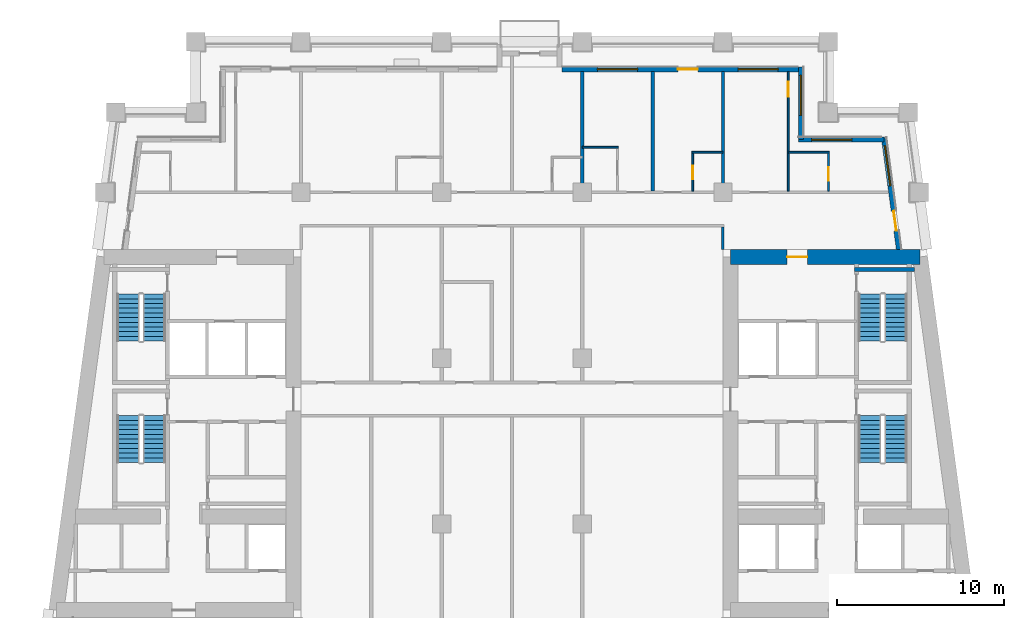
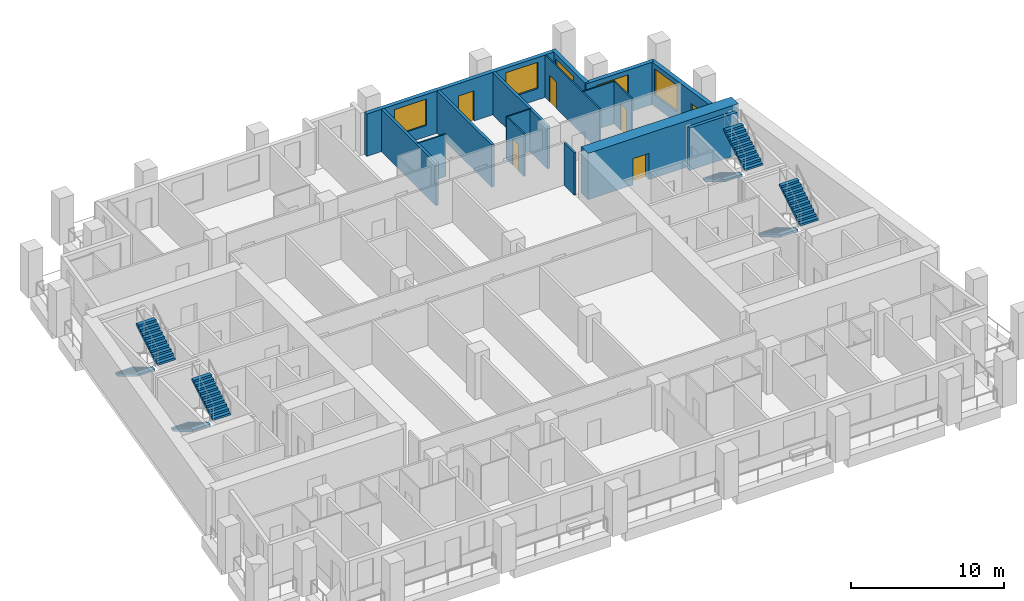
# One storey, part 8 of 13: 16 walls, 8 stair flights, 6 doors, 5 windows, 11 openings, 4 elements without a shape of their own.
"""IFC4 building model written with IfcOpenShell, lengths in metres."""

from ifc_helpers import new_model, si_unit, direction, frame, frame_2d, origin, place, context, subcontext, project, spatial, polyline, rectangle, outline, extrude, material, layer, layer_set, type_object, element, fill, aggregate, save


model = new_model("IFC4")

# Units and contexts
model_context = context("Model", 3, precision=1e-05, world=origin(), true_north=direction((0.0, 1.0)))
body_context = subcontext(model_context, "Body", "Model", "MODEL_VIEW")
ifc_project = project(units=[si_unit("LENGTHUNIT", "METRE"), si_unit("AREAUNIT", "SQUARE_METRE"), si_unit("VOLUMEUNIT", "CUBIC_METRE"), si_unit("PLANEANGLEUNIT", "RADIAN"), si_unit("MASSUNIT", "GRAM", prefix="KILO")], contexts=[model_context])

# Site, building, storey
site_placement = place(None, origin())
site = spatial("IfcSite", under=ifc_project, at=site_placement, CompositionType="ELEMENT")
building_placement = place(site_placement, origin())
building = spatial("IfcBuilding", under=site, at=building_placement, Name="Candeia Pilgrim Tower and Theatre", CompositionType="ELEMENT")
storey_placement = place(building_placement, frame((0.0, 0.0, 181.10009765625)))
storey = spatial("IfcBuildingStorey", under=building, at=storey_placement, Name="L43", CompositionType="ELEMENT", Elevation=181.10009765625)

# Wall, opening, door
ifc_material_1 = material(Name="Concrete C60/75", Category="concrete")
ifc_layer_1 = layer(ifc_material_1, 0.89990234375)
ifc_layer_set_1 = layer_set([ifc_layer_1], Name="Core wall 900 C60/75")
wall_type_1 = type_object("IfcWallType", Name="Core wall 900 C60/75", PredefinedType="SHEAR", material=ifc_layer_set_1)
wall_1_placement = place(storey_placement, frame((126.449951171875, 131.949951171875, 0.0), z_axis=(0.0, 0.0, 1.0), x_axis=(1.0, 0.0, 0.0)))
wall_1 = element("IfcWall", 1, at=wall_1_placement, inside=storey, type_object=wall_type_1, Name="Core wall E1", PredefinedType="SHEAR", context=body_context, shape_type="SweptSolid", body=[
    extrude(rectangle(XDim=11.32568359375, YDim=0.89990234375, at=frame_2d((5.662841796875, 0.0))), origin(), (0.0, 0.0, 1.0), 3.699951171875),
])
opening_1_placement = place(wall_1_placement, frame((3.386474609375, 0.0, 0.0)))
opening_1 = element("IfcOpeningElement", 2, at=opening_1_placement, cuts=wall_1, Name="Opening L43-D068", PredefinedType="OPENING", context=body_context, shape_type="SweptSolid", body=[
    extrude(rectangle(XDim=1.199951171875, YDim=2.10009765625, at=frame_2d((0.60009765625, 1.050048828125))), frame((0.0, 0.4599609375, 0.0), z_axis=(0.0, -1.0, 0.0), x_axis=(1.0, 0.0, 0.0)), (0.0, 0.0, 1.0), 0.919921875),
])
ifc_material_2 = material(Name="Steel fire door set", Category="steel")
door_type_1 = type_object("IfcDoorType", Name="D-1200-FD60", OperationType="NOTDEFINED", PredefinedType="DOOR", material=ifc_material_2)
door_1_placement = place(opening_1_placement, origin())
door_1 = element("IfcDoor", 3, at=door_1_placement, inside=storey, type_object=door_type_1, Name="Door L43-D068", OperationType="SINGLE_SWING_LEFT", OverallHeight=2.10009765625, OverallWidth=1.199951171875, PredefinedType="DOOR", context=body_context, shape_type="SweptSolid", body=[
    extrude(rectangle(XDim=1.199951171875, YDim=2.10009765625, at=frame_2d((0.60009765625, 1.050048828125))), frame((0.0, 0.02490234375, 0.0), z_axis=(0.0, -1.0, 0.0), x_axis=(1.0, 0.0, 0.0)), (0.0, 0.0, 1.0), 0.050048828125),
])
fill(opening_1, door_1)

# Wall, openings, door, window
ifc_material_3 = material(Name="Ceramic block masonry", Category="masonry")
ifc_layer_2 = layer(ifc_material_3, 0.300048828125)
ifc_layer_set_2 = layer_set([ifc_layer_2], Name="EW1 glazing-line wall 300")
wall_type_2 = type_object("IfcWallType", Name="EW1 glazing-line wall 300", PredefinedType="SOLIDWALL", material=ifc_layer_set_2)
wall_2_placement = place(storey_placement, frame((136.50439453125, 132.39990234375, 0.0), z_axis=(0.0, 0.0, 1.0), x_axis=(-0.133399697462, 0.99106231929, 0.0)))
wall_2 = element("IfcWall", 4, at=wall_2_placement, inside=storey, type_object=wall_type_2, Name="External wall L43-3.1", PredefinedType="SOLIDWALL", context=body_context, shape_type="SweptSolid", body=[
    extrude(rectangle(XDim=6.740478515625, YDim=0.300048828125, at=frame_2d((3.3701171875, 0.0))), origin(), (0.0, 0.0, 1.0), 3.3798828125),
])
opening_2_placement = place(wall_2_placement, frame((1.115234375, 0.0, 0.0)))
opening_2 = element("IfcOpeningElement", 5, at=opening_2_placement, cuts=wall_2, Name="Opening L43-ED413", PredefinedType="OPENING", context=body_context, shape_type="SweptSolid", body=[
    extrude(rectangle(XDim=1.199951171875, YDim=2.39990234375, at=frame_2d((0.60009765625, 1.199951171875))), frame((0.0, 0.16015625, 0.0), z_axis=(0.0, -1.0, 0.0), x_axis=(1.0, 0.0, 0.0)), (0.0, 0.0, 1.0), 0.320068359375),
])
opening_3_placement = place(wall_2_placement, frame((3.83544921875, 0.0, 0.89990234375)))
opening_3 = element("IfcOpeningElement", 6, at=opening_3_placement, cuts=wall_2, Name="Opening W-A", PredefinedType="OPENING", context=body_context, shape_type="SweptSolid", body=[
    extrude(rectangle(XDim=2.39990234375, YDim=2.10009765625, at=frame_2d((1.199951171875, 1.050048828125))), frame((0.0, 0.16015625, 0.0), z_axis=(0.0, -1.0, 0.0), x_axis=(1.0, 0.0, 0.0)), (0.0, 0.0, 1.0), 0.320068359375),
])
ifc_material_4 = material(Name="Aluminium framed glazed door", Category="aluminium")
door_type_2 = type_object("IfcDoorType", Name="Loggia door 1200x2400", OperationType="DOUBLE_DOOR_SINGLE_SWING", PredefinedType="DOOR", material=ifc_material_4)
door_2_placement = place(opening_2_placement, origin())
door_2 = element("IfcDoor", 7, at=door_2_placement, inside=storey, type_object=door_type_2, Name="Loggia door L43-ED413", OperationType="DOUBLE_DOOR_SINGLE_SWING", OverallHeight=2.39990234375, OverallWidth=1.199951171875, PredefinedType="DOOR", context=body_context, shape_type="SweptSolid", body=[
    extrude(rectangle(XDim=1.199951171875, YDim=2.39990234375, at=frame_2d((0.60009765625, 1.199951171875))), frame((0.0, 0.02490234375, 0.0), z_axis=(0.0, -1.0, 0.0), x_axis=(1.0, 0.0, 0.0)), (0.0, 0.0, 1.0), 0.050048828125),
])
fill(opening_2, door_2)
ifc_material_5 = material(Name="Aluminium framed double glazing", Category="aluminium")
window_type = type_object("IfcWindowType", Name="W-A window 2400x2100", PartitioningType="DOUBLE_PANEL_VERTICAL", PredefinedType="WINDOW", material=ifc_material_5)
window_1_placement = place(opening_3_placement, origin())
window_1 = element("IfcWindow", 8, at=window_1_placement, inside=storey, type_object=window_type, Name="Window W-A L43", OverallHeight=2.10009765625, OverallWidth=2.39990234375, PartitioningType="SINGLE_PANEL", PredefinedType="WINDOW", context=body_context, shape_type="SweptSolid", body=[
    extrude(rectangle(XDim=2.39990234375, YDim=2.10009765625, at=frame_2d((1.199951171875, 1.050048828125))), frame((0.0, 0.030029296875, 0.0), z_axis=(0.0, -1.0, 0.0), x_axis=(1.0, 0.0, 0.0)), (0.0, 0.0, 1.0), 0.06005859375),
])
fill(opening_3, window_1)

# Wall, opening, window
wall_3_placement = place(storey_placement, frame((135.62255859375, 138.949951171875, 0.0), z_axis=(0.0, 0.0, 1.0), x_axis=(-1.0, 0.0, 0.0)))
wall_3 = element("IfcWall", 9, at=wall_3_placement, inside=storey, type_object=wall_type_2, Name="External wall L43-4.0", PredefinedType="SOLIDWALL", context=body_context, shape_type="SweptSolid", body=[
    extrude(rectangle(XDim=5.12255859375, YDim=0.300048828125, at=frame_2d((2.561279296875, 0.0))), origin(), (0.0, 0.0, 1.0), 3.3798828125),
])
opening_4_placement = place(wall_3_placement, frame((1.922607421875, 0.0, 0.89990234375)))
opening_4 = element("IfcOpeningElement", 10, at=opening_4_placement, cuts=wall_3, Name="Opening W-A", PredefinedType="OPENING", context=body_context, shape_type="SweptSolid", body=[
    extrude(rectangle(XDim=2.39990234375, YDim=2.10009765625, at=frame_2d((1.199951171875, 1.050048828125))), frame((0.0, 0.16015625, 0.0), z_axis=(0.0, -1.0, 0.0), x_axis=(1.0, 0.0, 0.0)), (0.0, 0.0, 1.0), 0.320068359375),
])
window_2_placement = place(opening_4_placement, origin())
window_2 = element("IfcWindow", 11, at=window_2_placement, inside=storey, type_object=window_type, Name="Window W-A L43", OverallHeight=2.10009765625, OverallWidth=2.39990234375, PartitioningType="SINGLE_PANEL", PredefinedType="WINDOW", context=body_context, shape_type="SweptSolid", body=[
    extrude(rectangle(XDim=2.39990234375, YDim=2.10009765625, at=frame_2d((1.199951171875, 1.050048828125))), frame((0.0, 0.030029296875, 0.0), z_axis=(0.0, -1.0, 0.0), x_axis=(1.0, 0.0, 0.0)), (0.0, 0.0, 1.0), 0.06005859375),
])
fill(opening_4, window_2)

wall_4_placement = place(storey_placement, frame((130.64990234375, 138.949951171875, 0.0), z_axis=(0.0, 0.0, 1.0), x_axis=(0.0, 1.0, 0.0)))
wall_4 = element("IfcWall", 12, at=wall_4_placement, inside=storey, type_object=wall_type_2, Name="External wall L43-5.0", PredefinedType="SOLIDWALL", context=body_context, shape_type="SweptSolid", body=[
    extrude(rectangle(XDim=4.35009765625, YDim=0.300048828125, at=frame_2d((2.175048828125, 0.0))), origin(), (0.0, 0.0, 1.0), 3.3798828125),
])
opening_5_placement = place(wall_4_placement, frame((1.449951171875, 0.0, 0.89990234375)))
opening_5 = element("IfcOpeningElement", 13, at=opening_5_placement, cuts=wall_4, Name="Opening W-A", PredefinedType="OPENING", context=body_context, shape_type="SweptSolid", body=[
    extrude(rectangle(XDim=2.39990234375, YDim=2.10009765625, at=frame_2d((1.199951171875, 1.050048828125))), frame((0.0, 0.16015625, 0.0), z_axis=(0.0, -1.0, 0.0), x_axis=(1.0, 0.0, 0.0)), (0.0, 0.0, 1.0), 0.320068359375),
])
window_3_placement = place(opening_5_placement, origin())
window_3 = element("IfcWindow", 14, at=window_3_placement, inside=storey, type_object=window_type, Name="Window W-A L43", OverallHeight=2.10009765625, OverallWidth=2.39990234375, PartitioningType="SINGLE_PANEL", PredefinedType="WINDOW", context=body_context, shape_type="SweptSolid", body=[
    extrude(rectangle(XDim=2.39990234375, YDim=2.10009765625, at=frame_2d((1.199951171875, 1.050048828125))), frame((0.0, 0.030029296875, 0.0), z_axis=(0.0, -1.0, 0.0), x_axis=(1.0, 0.0, 0.0)), (0.0, 0.0, 1.0), 0.06005859375),
])
fill(opening_5, window_3)

# Wall, openings, door, windows
wall_5_placement = place(storey_placement, frame((130.64990234375, 143.14990234375, 0.0), z_axis=(0.0, 0.0, 1.0), x_axis=(-1.0, 0.0, 0.0)))
wall_5 = element("IfcWall", 15, at=wall_5_placement, inside=storey, type_object=wall_type_2, Name="External wall L43-6.0", PredefinedType="SOLIDWALL", context=body_context, shape_type="SweptSolid", body=[
    extrude(rectangle(XDim=14.25, YDim=0.300048828125, at=frame_2d((7.125, 0.0))), origin(), (0.0, 0.0, 1.0), 3.3798828125),
])
opening_6_placement = place(wall_5_placement, frame((1.35009765625, 0.0, 0.89990234375)))
opening_6 = element("IfcOpeningElement", 16, at=opening_6_placement, cuts=wall_5, Name="Opening W-A", PredefinedType="OPENING", context=body_context, shape_type="SweptSolid", body=[
    extrude(rectangle(XDim=2.39990234375, YDim=2.10009765625, at=frame_2d((1.199951171875, 1.050048828125))), frame((0.0, 0.16015625, 0.0), z_axis=(0.0, -1.0, 0.0), x_axis=(1.0, 0.0, 0.0)), (0.0, 0.0, 1.0), 0.320068359375),
])
opening_7_placement = place(wall_5_placement, frame((6.14990234375, 0.0, 0.0)))
opening_7 = element("IfcOpeningElement", 17, at=opening_7_placement, cuts=wall_5, Name="Opening L43-ED414", PredefinedType="OPENING", context=body_context, shape_type="SweptSolid", body=[
    extrude(rectangle(XDim=1.199951171875, YDim=2.39990234375, at=frame_2d((0.60009765625, 1.199951171875))), frame((0.0, 0.16015625, 0.0), z_axis=(0.0, -1.0, 0.0), x_axis=(1.0, 0.0, 0.0)), (0.0, 0.0, 1.0), 0.320068359375),
])
opening_8_placement = place(wall_5_placement, frame((9.75, 0.0, 0.89990234375)))
opening_8 = element("IfcOpeningElement", 18, at=opening_8_placement, cuts=wall_5, Name="Opening W-A", PredefinedType="OPENING", context=body_context, shape_type="SweptSolid", body=[
    extrude(rectangle(XDim=2.39990234375, YDim=2.10009765625, at=frame_2d((1.199951171875, 1.050048828125))), frame((0.0, 0.16015625, 0.0), z_axis=(0.0, -1.0, 0.0), x_axis=(1.0, 0.0, 0.0)), (0.0, 0.0, 1.0), 0.320068359375),
])
door_3_placement = place(opening_7_placement, origin())
door_3 = element("IfcDoor", 19, at=door_3_placement, inside=storey, type_object=door_type_2, Name="Loggia door L43-ED414", OperationType="DOUBLE_DOOR_SINGLE_SWING", OverallHeight=2.39990234375, OverallWidth=1.199951171875, PredefinedType="DOOR", context=body_context, shape_type="SweptSolid", body=[
    extrude(rectangle(XDim=1.199951171875, YDim=2.39990234375, at=frame_2d((0.60009765625, 1.199951171875))), frame((0.0, 0.02490234375, 0.0), z_axis=(0.0, -1.0, 0.0), x_axis=(1.0, 0.0, 0.0)), (0.0, 0.0, 1.0), 0.050048828125),
])
fill(opening_7, door_3)
window_4_placement = place(opening_6_placement, origin())
window_4 = element("IfcWindow", 20, at=window_4_placement, inside=storey, type_object=window_type, Name="Window W-A L43", OverallHeight=2.10009765625, OverallWidth=2.39990234375, PartitioningType="SINGLE_PANEL", PredefinedType="WINDOW", context=body_context, shape_type="SweptSolid", body=[
    extrude(rectangle(XDim=2.39990234375, YDim=2.10009765625, at=frame_2d((1.199951171875, 1.050048828125))), frame((0.0, 0.030029296875, 0.0), z_axis=(0.0, -1.0, 0.0), x_axis=(1.0, 0.0, 0.0)), (0.0, 0.0, 1.0), 0.06005859375),
])
fill(opening_6, window_4)
window_5_placement = place(opening_8_placement, origin())
window_5 = element("IfcWindow", 21, at=window_5_placement, inside=storey, type_object=window_type, Name="Window W-A L43", OverallHeight=2.10009765625, OverallWidth=2.39990234375, PartitioningType="SINGLE_PANEL", PredefinedType="WINDOW", context=body_context, shape_type="SweptSolid", body=[
    extrude(rectangle(XDim=2.39990234375, YDim=2.10009765625, at=frame_2d((1.199951171875, 1.050048828125))), frame((0.0, 0.030029296875, 0.0), z_axis=(0.0, -1.0, 0.0), x_axis=(1.0, 0.0, 0.0)), (0.0, 0.0, 1.0), 0.06005859375),
])
fill(opening_8, window_5)

# Walls
ifc_material_6 = material(Name="Gypsum board partition on steel studs", Category="steel")
ifc_layer_3 = layer(ifc_material_6, 0.10009765625)
ifc_layer_set_3 = layer_set([ifc_layer_3], Name="PW-100 room partition")
wall_type_3 = type_object("IfcWallType", Name="PW-100 room partition", PredefinedType="PARTITIONING", material=ifc_layer_set_3)
wall_6_placement = place(storey_placement, frame((124.14990234375, 138.199951171875, 0.0), z_axis=(0.0, 0.0, 1.0), x_axis=(1.0, 0.0, 0.0)))
element("IfcWall", 22, at=wall_6_placement, inside=storey, type_object=wall_type_3, Name="Room partition L43-049", PredefinedType="PARTITIONING", context=body_context, shape_type="SweptSolid", body=[
    extrude(rectangle(XDim=1.85009765625, YDim=0.10009765625, at=frame_2d((0.925048828125, 0.0))), origin(), (0.0, 0.0, 1.0), 3.3798828125),
])
wall_7_placement = place(storey_placement, frame((129.89990234375, 138.199951171875, 0.0), z_axis=(0.0, 0.0, 1.0), x_axis=(1.0, 0.0, 0.0)))
element("IfcWall", 23, at=wall_7_placement, inside=storey, type_object=wall_type_3, Name="Room partition L43-050", PredefinedType="PARTITIONING", context=body_context, shape_type="SweptSolid", body=[
    extrude(rectangle(XDim=2.4501953125, YDim=0.10009765625, at=frame_2d((1.22509765625, 0.0))), origin(), (0.0, 0.0, 1.0), 3.3798828125),
])
wall_8_placement = place(storey_placement, frame((117.60009765625, 138.5, 0.0), z_axis=(0.0, 0.0, 1.0), x_axis=(1.0, 0.0, 0.0)))
element("IfcWall", 24, at=wall_8_placement, inside=storey, type_object=wall_type_3, Name="Room partition L43-051", PredefinedType="PARTITIONING", context=body_context, shape_type="SweptSolid", body=[
    extrude(rectangle(XDim=2.14990234375, YDim=0.10009765625, at=frame_2d((1.074951171875, 0.0))), origin(), (0.0, 0.0, 1.0), 3.3798828125),
])

# Wall, opening, door
wall_9_placement = place(storey_placement, frame((124.199951171875, 135.875, 0.0), z_axis=(0.0, 0.0, 1.0), x_axis=(0.0, 1.0, 0.0)))
wall_9 = element("IfcWall", 25, at=wall_9_placement, inside=storey, type_object=wall_type_3, Name="Room partition L43-104", PredefinedType="PARTITIONING", context=body_context, shape_type="SweptSolid", body=[
    extrude(rectangle(XDim=2.27490234375, YDim=0.10009765625, at=frame_2d((1.137451171875, 0.0))), origin(), (0.0, 0.0, 1.0), 3.3798828125),
])
opening_9_placement = place(wall_9_placement, frame((0.72509765625, 0.0, 0.0)))
opening_9 = element("IfcOpeningElement", 26, at=opening_9_placement, cuts=wall_9, Name="Opening L43-D049", PredefinedType="OPENING", context=body_context, shape_type="SweptSolid", body=[
    extrude(rectangle(XDim=0.800048828125, YDim=2.10009765625, at=frame_2d((0.39990234375, 1.050048828125))), frame((0.0, 0.06005859375, 0.0), z_axis=(0.0, -1.0, 0.0), x_axis=(1.0, 0.0, 0.0)), (0.0, 0.0, 1.0), 0.1201171875),
])
ifc_material_7 = material(Name="Timber door leaf", Category="wood")
door_type_3 = type_object("IfcDoorType", Name="D-800", OperationType="NOTDEFINED", PredefinedType="DOOR", material=ifc_material_7)
door_4_placement = place(opening_9_placement, origin())
door_4 = element("IfcDoor", 27, at=door_4_placement, inside=storey, type_object=door_type_3, Name="Door L43-D049", OperationType="SINGLE_SWING_RIGHT", OverallHeight=2.10009765625, OverallWidth=0.800048828125, PredefinedType="DOOR", context=body_context, shape_type="SweptSolid", body=[
    extrude(rectangle(XDim=0.800048828125, YDim=2.10009765625, at=frame_2d((0.39990234375, 1.050048828125))), frame((0.0, 0.02490234375, 0.0), z_axis=(0.0, -1.0, 0.0), x_axis=(1.0, 0.0, 0.0)), (0.0, 0.0, 1.0), 0.050048828125),
])
fill(opening_9, door_4)

wall_10_placement = place(storey_placement, frame((129.89990234375, 135.875, 0.0), z_axis=(0.0, 0.0, 1.0), x_axis=(0.0, 1.0, 0.0)))
wall_10 = element("IfcWall", 28, at=wall_10_placement, inside=storey, type_object=wall_type_3, Name="Room partition L43-113", PredefinedType="PARTITIONING", context=body_context, shape_type="SweptSolid", body=[
    extrude(rectangle(XDim=7.135009765625, YDim=0.10009765625, at=frame_2d((3.5673828125, 0.0))), origin(), (0.0, 0.0, 1.0), 3.3798828125),
])
opening_10_placement = place(wall_10_placement, frame((5.64990234375, 0.0, 0.0)))
opening_10 = element("IfcOpeningElement", 29, at=opening_10_placement, cuts=wall_10, Name="Opening L43-D051", PredefinedType="OPENING", context=body_context, shape_type="SweptSolid", body=[
    extrude(rectangle(XDim=0.89990234375, YDim=2.10009765625, at=frame_2d((0.449951171875, 1.050048828125))), frame((0.0, 0.06005859375, 0.0), z_axis=(0.0, -1.0, 0.0), x_axis=(1.0, 0.0, 0.0)), (0.0, 0.0, 1.0), 0.1201171875),
])
door_type_4 = type_object("IfcDoorType", Name="D-900", OperationType="NOTDEFINED", PredefinedType="DOOR", material=ifc_material_7)
door_5_placement = place(opening_10_placement, origin())
door_5 = element("IfcDoor", 30, at=door_5_placement, inside=storey, type_object=door_type_4, Name="Door L43-D051", OperationType="SINGLE_SWING_RIGHT", OverallHeight=2.10009765625, OverallWidth=0.89990234375, PredefinedType="DOOR", context=body_context, shape_type="SweptSolid", body=[
    extrude(rectangle(XDim=0.89990234375, YDim=2.10009765625, at=frame_2d((0.449951171875, 1.050048828125))), frame((0.0, 0.02490234375, 0.0), z_axis=(0.0, -1.0, 0.0), x_axis=(1.0, 0.0, 0.0)), (0.0, 0.0, 1.0), 0.050048828125),
])
fill(opening_10, door_5)

wall_11_placement = place(storey_placement, frame((132.300048828125, 135.875, 0.0), z_axis=(0.0, 0.0, 1.0), x_axis=(0.0, 1.0, 0.0)))
wall_11 = element("IfcWall", 31, at=wall_11_placement, inside=storey, type_object=wall_type_3, Name="Room partition L43-120", PredefinedType="PARTITIONING", context=body_context, shape_type="SweptSolid", body=[
    extrude(rectangle(XDim=2.27490234375, YDim=0.10009765625, at=frame_2d((1.137451171875, 0.0))), origin(), (0.0, 0.0, 1.0), 3.3798828125),
])
opening_11_placement = place(wall_11_placement, frame((0.635009765625, 0.0, 0.0)))
opening_11 = element("IfcOpeningElement", 32, at=opening_11_placement, cuts=wall_11, Name="Opening L43-D052", PredefinedType="OPENING", context=body_context, shape_type="SweptSolid", body=[
    extrude(rectangle(XDim=0.800048828125, YDim=2.10009765625, at=frame_2d((0.39990234375, 1.050048828125))), frame((0.0, 0.06005859375, 0.0), z_axis=(0.0, -1.0, 0.0), x_axis=(1.0, 0.0, 0.0)), (0.0, 0.0, 1.0), 0.1201171875),
])
door_6_placement = place(opening_11_placement, origin())
door_6 = element("IfcDoor", 33, at=door_6_placement, inside=storey, type_object=door_type_3, Name="Door L43-D052", OperationType="SINGLE_SWING_LEFT", OverallHeight=2.10009765625, OverallWidth=0.800048828125, PredefinedType="DOOR", context=body_context, shape_type="SweptSolid", body=[
    extrude(rectangle(XDim=0.800048828125, YDim=2.10009765625, at=frame_2d((0.39990234375, 1.050048828125))), frame((0.0, 0.02490234375, 0.0), z_axis=(0.0, -1.0, 0.0), x_axis=(1.0, 0.0, 0.0)), (0.0, 0.0, 1.0), 0.050048828125),
])
fill(opening_11, door_6)

# Walls
ifc_layer_4 = layer(ifc_material_6, 0.14990234375)
ifc_layer_set_4 = layer_set([ifc_layer_4], Name="PW-150 unit wall")
wall_type_4 = type_object("IfcWallType", Name="PW-150 unit wall", PredefinedType="PARTITIONING", material=ifc_layer_set_4)
wall_12_placement = place(storey_placement, frame((126.0, 132.39990234375, 0.0), z_axis=(0.0, 0.0, 1.0), x_axis=(0.0, 1.0, 0.0)))
element("IfcWall", 34, at=wall_12_placement, inside=storey, type_object=wall_type_4, Name="Unit wall L43-108", PredefinedType="PARTITIONING", context=body_context, shape_type="SweptSolid", body=[
    extrude(rectangle(XDim=1.3251953125, YDim=0.14990234375, at=frame_2d((0.66259765625, 0.0))), origin(), (0.0, 0.0, 1.0), 3.3798828125),
])
ifc_layer_5 = layer(ifc_material_6, 0.199951171875)
ifc_layer_set_5 = layer_set([ifc_layer_5], Name="PW-200 party wall")
wall_type_5 = type_object("IfcWallType", Name="PW-200 party wall", PredefinedType="PARTITIONING", material=ifc_layer_set_5)
for number, where, z_axis, x_axis, name in (
    (35, (117.60009765625, 135.875, 0.0), (0.0, 0.0, 1.0), (0.0, 1.0, 0.0), "Party wall L43-098"),
    (36, (121.800048828125, 135.875, 0.0), (0.0, 0.0, 1.0), (0.0, 1.0, 0.0), "Party wall L43-102"),
    (37, (126.0, 135.875, 0.0), (0.0, 0.0, 1.0), (0.0, 1.0, 0.0), "Party wall L43-106"),
):
    element("IfcWall", number, at=place(storey_placement, frame(where, z_axis=z_axis, x_axis=x_axis)), inside=storey, type_object=wall_type_5, Name=name, PredefinedType="PARTITIONING", context=body_context, shape_type="SweptSolid", body=[
        extrude(rectangle(XDim=7.135009765625, YDim=0.199951171875, at=frame_2d((3.5673828125, 0.0))), origin(), (0.0, 0.0, 1.0), 3.3798828125),
    ])
ifc_material_8 = material(Name="Concrete C40/50", Category="concrete")
ifc_layer_6 = layer(ifc_material_8, 0.25)
ifc_layer_set_6 = layer_set([ifc_layer_6], Name="SW-250 stair wall")
wall_type_6 = type_object("IfcWallType", Name="SW-250 stair wall", PredefinedType="PARTITIONING", material=ifc_layer_set_6)
wall_13_placement = place(storey_placement, frame((133.847900390625, 131.199951171875, 0.0), z_axis=(0.0, 0.0, 1.0), x_axis=(1.0, 0.0, 0.0)))
element("IfcWall", 38, at=wall_13_placement, inside=storey, type_object=wall_type_6, Name="Stair wall L43-043", PredefinedType="PARTITIONING", context=body_context, shape_type="SweptSolid", body=[
    extrude(rectangle(XDim=3.604736328125, YDim=0.25, at=frame_2d((1.80224609375, 0.0))), origin(), (0.0, 0.0, 1.0), 3.3798828125),
])

# Stair, stair flights
stair_type = type_object("IfcStairType", Name="ST-TWR dog-leg escape stair", PredefinedType="HALF_TURN_STAIR", material=ifc_material_8)
stair_1_placement = place(storey_placement, origin())
stair_1 = element("IfcStair", 39, at=stair_1_placement, inside=storey, type_object=stair_type, Name="L43 Escape stair ST1", PredefinedType="HALF_TURN_STAIR")
stair_flight_type = type_object("IfcStairFlightType", Name="SFL-RC stair flight", PredefinedType="STRAIGHT", material=ifc_material_8)
stair_flight_1_placement = place(storey_placement, frame((90.47705078125, 122.47509765625, 0.0), z_axis=(0.0, 0.0, 1.0), x_axis=(0.0, -1.0, 0.0)))
stair_flight_1 = element("IfcStairFlight", 40, at=stair_flight_1_placement, type_object=stair_flight_type, Name="ST1 flight 1", NumberOfRisers=11, NumberOfTreads=10, PredefinedType="STRAIGHT", RiserHeight=0.168181818, TreadLength=0.28, context=body_context, shape_type="SweptSolid", body=[
    extrude(outline(polyline([(0.0, 0.0), (0.0, 0.168212890625), (0.280029296875, 0.168212890625), (0.280029296875, 0.33642578125), (0.56005859375, 0.33642578125), (0.56005859375, 0.504638671875), (0.840087890625, 0.504638671875), (0.840087890625, 0.672607421875), (1.1201171875, 0.672607421875), (1.1201171875, 0.8408203125), (1.39990234375, 0.8408203125), (1.39990234375, 1.009033203125), (1.679931640625, 1.009033203125), (1.679931640625, 1.17724609375), (1.9599609375, 1.17724609375), (1.9599609375, 1.345458984375), (2.239990234375, 1.345458984375), (2.239990234375, 1.513671875), (2.52001953125, 1.513671875), (2.52001953125, 1.681884765625), (2.800048828125, 1.681884765625), (2.800048828125, 1.85009765625), (2.800048828125, 1.5068359375), (0.291015625, 0.0), (0.0, 0.0)])), frame((0.0, 0.675048828125, 0.0), z_axis=(0.0, -1.0, 0.0), x_axis=(1.0, 0.0, 0.0)), (0.0, 0.0, 1.0), 1.35009765625),
])
stair_flight_2_placement = place(storey_placement, frame((92.027099609375, 119.675048828125, 1.849853515625), z_axis=(0.0, 0.0, 1.0), x_axis=(0.0, 1.0, 0.0)))
stair_flight_2 = element("IfcStairFlight", 41, at=stair_flight_2_placement, type_object=stair_flight_type, Name="ST1 flight 2", NumberOfRisers=11, NumberOfTreads=10, PredefinedType="STRAIGHT", RiserHeight=0.168181818, TreadLength=0.28, context=body_context, shape_type="SweptSolid", body=[
    extrude(outline(polyline([(0.0, 0.0), (0.0, 0.168212890625), (0.280029296875, 0.168212890625), (0.280029296875, 0.33642578125), (0.56005859375, 0.33642578125), (0.56005859375, 0.504638671875), (0.840087890625, 0.504638671875), (0.840087890625, 0.672607421875), (1.1201171875, 0.672607421875), (1.1201171875, 0.8408203125), (1.39990234375, 0.8408203125), (1.39990234375, 1.009033203125), (1.679931640625, 1.009033203125), (1.679931640625, 1.17724609375), (1.9599609375, 1.17724609375), (1.9599609375, 1.345458984375), (2.239990234375, 1.345458984375), (2.239990234375, 1.513671875), (2.52001953125, 1.513671875), (2.52001953125, 1.681884765625), (2.800048828125, 1.681884765625), (2.800048828125, 1.85009765625), (2.800048828125, 1.5068359375), (0.291015625, 0.0), (0.0, 0.0)])), frame((0.0, 0.675048828125, 0.0), z_axis=(0.0, -1.0, 0.0), x_axis=(1.0, 0.0, 0.0)), (0.0, 0.0, 1.0), 1.35009765625),
])
aggregate(stair_1, [stair_flight_1, stair_flight_2])

stair_2_placement = place(storey_placement, origin())
stair_2 = element("IfcStair", 42, at=stair_2_placement, inside=storey, type_object=stair_type, Name="L43 Escape stair ST2", PredefinedType="HALF_TURN_STAIR")
stair_flight_3_placement = place(storey_placement, frame((90.47705078125, 129.72509765625, 0.0), z_axis=(0.0, 0.0, 1.0), x_axis=(0.0, -1.0, 0.0)))
stair_flight_3 = element("IfcStairFlight", 43, at=stair_flight_3_placement, type_object=stair_flight_type, Name="ST2 flight 1", NumberOfRisers=11, NumberOfTreads=10, PredefinedType="STRAIGHT", RiserHeight=0.168181818, TreadLength=0.28, context=body_context, shape_type="SweptSolid", body=[
    extrude(outline(polyline([(0.0, 0.0), (0.0, 0.168212890625), (0.280029296875, 0.168212890625), (0.280029296875, 0.33642578125), (0.56005859375, 0.33642578125), (0.56005859375, 0.504638671875), (0.840087890625, 0.504638671875), (0.840087890625, 0.672607421875), (1.1201171875, 0.672607421875), (1.1201171875, 0.8408203125), (1.39990234375, 0.8408203125), (1.39990234375, 1.009033203125), (1.679931640625, 1.009033203125), (1.679931640625, 1.17724609375), (1.9599609375, 1.17724609375), (1.9599609375, 1.345458984375), (2.239990234375, 1.345458984375), (2.239990234375, 1.513671875), (2.52001953125, 1.513671875), (2.52001953125, 1.681884765625), (2.800048828125, 1.681884765625), (2.800048828125, 1.85009765625), (2.800048828125, 1.5068359375), (0.291015625, 0.0), (0.0, 0.0)])), frame((0.0, 0.675048828125, 0.0), z_axis=(0.0, -1.0, 0.0), x_axis=(1.0, 0.0, 0.0)), (0.0, 0.0, 1.0), 1.35009765625),
])
stair_flight_4_placement = place(storey_placement, frame((92.027099609375, 126.925048828125, 1.849853515625), z_axis=(0.0, 0.0, 1.0), x_axis=(0.0, 1.0, 0.0)))
stair_flight_4 = element("IfcStairFlight", 44, at=stair_flight_4_placement, type_object=stair_flight_type, Name="ST2 flight 2", NumberOfRisers=11, NumberOfTreads=10, PredefinedType="STRAIGHT", RiserHeight=0.168181818, TreadLength=0.28, context=body_context, shape_type="SweptSolid", body=[
    extrude(outline(polyline([(0.0, 0.0), (0.0, 0.168212890625), (0.280029296875, 0.168212890625), (0.280029296875, 0.33642578125), (0.56005859375, 0.33642578125), (0.56005859375, 0.504638671875), (0.840087890625, 0.504638671875), (0.840087890625, 0.672607421875), (1.1201171875, 0.672607421875), (1.1201171875, 0.8408203125), (1.39990234375, 0.8408203125), (1.39990234375, 1.009033203125), (1.679931640625, 1.009033203125), (1.679931640625, 1.17724609375), (1.9599609375, 1.17724609375), (1.9599609375, 1.345458984375), (2.239990234375, 1.345458984375), (2.239990234375, 1.513671875), (2.52001953125, 1.513671875), (2.52001953125, 1.681884765625), (2.800048828125, 1.681884765625), (2.800048828125, 1.85009765625), (2.800048828125, 1.5068359375), (0.291015625, 0.0), (0.0, 0.0)])), frame((0.0, 0.675048828125, 0.0), z_axis=(0.0, -1.0, 0.0), x_axis=(1.0, 0.0, 0.0)), (0.0, 0.0, 1.0), 1.35009765625),
])
aggregate(stair_2, [stair_flight_3, stair_flight_4])

stair_3_placement = place(storey_placement, origin())
stair_3 = element("IfcStair", 45, at=stair_3_placement, inside=storey, type_object=stair_type, Name="L43 Escape stair ST3", PredefinedType="HALF_TURN_STAIR")
stair_flight_5_placement = place(storey_placement, frame((134.77294921875, 122.47509765625, 0.0), z_axis=(0.0, 0.0, 1.0), x_axis=(0.0, -1.0, 0.0)))
stair_flight_5 = element("IfcStairFlight", 46, at=stair_flight_5_placement, type_object=stair_flight_type, Name="ST3 flight 1", NumberOfRisers=11, NumberOfTreads=10, PredefinedType="STRAIGHT", RiserHeight=0.168181818, TreadLength=0.28, context=body_context, shape_type="SweptSolid", body=[
    extrude(outline(polyline([(0.0, 0.0), (0.0, 0.168212890625), (0.280029296875, 0.168212890625), (0.280029296875, 0.33642578125), (0.56005859375, 0.33642578125), (0.56005859375, 0.504638671875), (0.840087890625, 0.504638671875), (0.840087890625, 0.672607421875), (1.1201171875, 0.672607421875), (1.1201171875, 0.8408203125), (1.39990234375, 0.8408203125), (1.39990234375, 1.009033203125), (1.679931640625, 1.009033203125), (1.679931640625, 1.17724609375), (1.9599609375, 1.17724609375), (1.9599609375, 1.345458984375), (2.239990234375, 1.345458984375), (2.239990234375, 1.513671875), (2.52001953125, 1.513671875), (2.52001953125, 1.681884765625), (2.800048828125, 1.681884765625), (2.800048828125, 1.85009765625), (2.800048828125, 1.5068359375), (0.291015625, 0.0), (0.0, 0.0)])), frame((0.0, 0.675048828125, 0.0), z_axis=(0.0, -1.0, 0.0), x_axis=(1.0, 0.0, 0.0)), (0.0, 0.0, 1.0), 1.35009765625),
])
stair_flight_6_placement = place(storey_placement, frame((136.322998046875, 119.675048828125, 1.849853515625), z_axis=(0.0, 0.0, 1.0), x_axis=(0.0, 1.0, 0.0)))
stair_flight_6 = element("IfcStairFlight", 47, at=stair_flight_6_placement, type_object=stair_flight_type, Name="ST3 flight 2", NumberOfRisers=11, NumberOfTreads=10, PredefinedType="STRAIGHT", RiserHeight=0.168181818, TreadLength=0.28, context=body_context, shape_type="SweptSolid", body=[
    extrude(outline(polyline([(0.0, 0.0), (0.0, 0.168212890625), (0.280029296875, 0.168212890625), (0.280029296875, 0.33642578125), (0.56005859375, 0.33642578125), (0.56005859375, 0.504638671875), (0.840087890625, 0.504638671875), (0.840087890625, 0.672607421875), (1.1201171875, 0.672607421875), (1.1201171875, 0.8408203125), (1.39990234375, 0.8408203125), (1.39990234375, 1.009033203125), (1.679931640625, 1.009033203125), (1.679931640625, 1.17724609375), (1.9599609375, 1.17724609375), (1.9599609375, 1.345458984375), (2.239990234375, 1.345458984375), (2.239990234375, 1.513671875), (2.52001953125, 1.513671875), (2.52001953125, 1.681884765625), (2.800048828125, 1.681884765625), (2.800048828125, 1.85009765625), (2.800048828125, 1.5068359375), (0.291015625, 0.0), (0.0, 0.0)])), frame((0.0, 0.675048828125, 0.0), z_axis=(0.0, -1.0, 0.0), x_axis=(1.0, 0.0, 0.0)), (0.0, 0.0, 1.0), 1.35009765625),
])
aggregate(stair_3, [stair_flight_5, stair_flight_6])

stair_4_placement = place(storey_placement, origin())
stair_4 = element("IfcStair", 48, at=stair_4_placement, inside=storey, type_object=stair_type, Name="L43 Escape stair ST4", PredefinedType="HALF_TURN_STAIR")
stair_flight_7_placement = place(storey_placement, frame((134.77294921875, 129.72509765625, 0.0), z_axis=(0.0, 0.0, 1.0), x_axis=(0.0, -1.0, 0.0)))
stair_flight_7 = element("IfcStairFlight", 49, at=stair_flight_7_placement, type_object=stair_flight_type, Name="ST4 flight 1", NumberOfRisers=11, NumberOfTreads=10, PredefinedType="STRAIGHT", RiserHeight=0.168181818, TreadLength=0.28, context=body_context, shape_type="SweptSolid", body=[
    extrude(outline(polyline([(0.0, 0.0), (0.0, 0.168212890625), (0.280029296875, 0.168212890625), (0.280029296875, 0.33642578125), (0.56005859375, 0.33642578125), (0.56005859375, 0.504638671875), (0.840087890625, 0.504638671875), (0.840087890625, 0.672607421875), (1.1201171875, 0.672607421875), (1.1201171875, 0.8408203125), (1.39990234375, 0.8408203125), (1.39990234375, 1.009033203125), (1.679931640625, 1.009033203125), (1.679931640625, 1.17724609375), (1.9599609375, 1.17724609375), (1.9599609375, 1.345458984375), (2.239990234375, 1.345458984375), (2.239990234375, 1.513671875), (2.52001953125, 1.513671875), (2.52001953125, 1.681884765625), (2.800048828125, 1.681884765625), (2.800048828125, 1.85009765625), (2.800048828125, 1.5068359375), (0.291015625, 0.0), (0.0, 0.0)])), frame((0.0, 0.675048828125, 0.0), z_axis=(0.0, -1.0, 0.0), x_axis=(1.0, 0.0, 0.0)), (0.0, 0.0, 1.0), 1.35009765625),
])
stair_flight_8_placement = place(storey_placement, frame((136.322998046875, 126.925048828125, 1.849853515625), z_axis=(0.0, 0.0, 1.0), x_axis=(0.0, 1.0, 0.0)))
stair_flight_8 = element("IfcStairFlight", 50, at=stair_flight_8_placement, type_object=stair_flight_type, Name="ST4 flight 2", NumberOfRisers=11, NumberOfTreads=10, PredefinedType="STRAIGHT", RiserHeight=0.168181818, TreadLength=0.28, context=body_context, shape_type="SweptSolid", body=[
    extrude(outline(polyline([(0.0, 0.0), (0.0, 0.168212890625), (0.280029296875, 0.168212890625), (0.280029296875, 0.33642578125), (0.56005859375, 0.33642578125), (0.56005859375, 0.504638671875), (0.840087890625, 0.504638671875), (0.840087890625, 0.672607421875), (1.1201171875, 0.672607421875), (1.1201171875, 0.8408203125), (1.39990234375, 0.8408203125), (1.39990234375, 1.009033203125), (1.679931640625, 1.009033203125), (1.679931640625, 1.17724609375), (1.9599609375, 1.17724609375), (1.9599609375, 1.345458984375), (2.239990234375, 1.345458984375), (2.239990234375, 1.513671875), (2.52001953125, 1.513671875), (2.52001953125, 1.681884765625), (2.800048828125, 1.681884765625), (2.800048828125, 1.85009765625), (2.800048828125, 1.5068359375), (0.291015625, 0.0), (0.0, 0.0)])), frame((0.0, 0.675048828125, 0.0), z_axis=(0.0, -1.0, 0.0), x_axis=(1.0, 0.0, 0.0)), (0.0, 0.0, 1.0), 1.35009765625),
])
aggregate(stair_4, [stair_flight_7, stair_flight_8])

save(model, "model.ifc")
